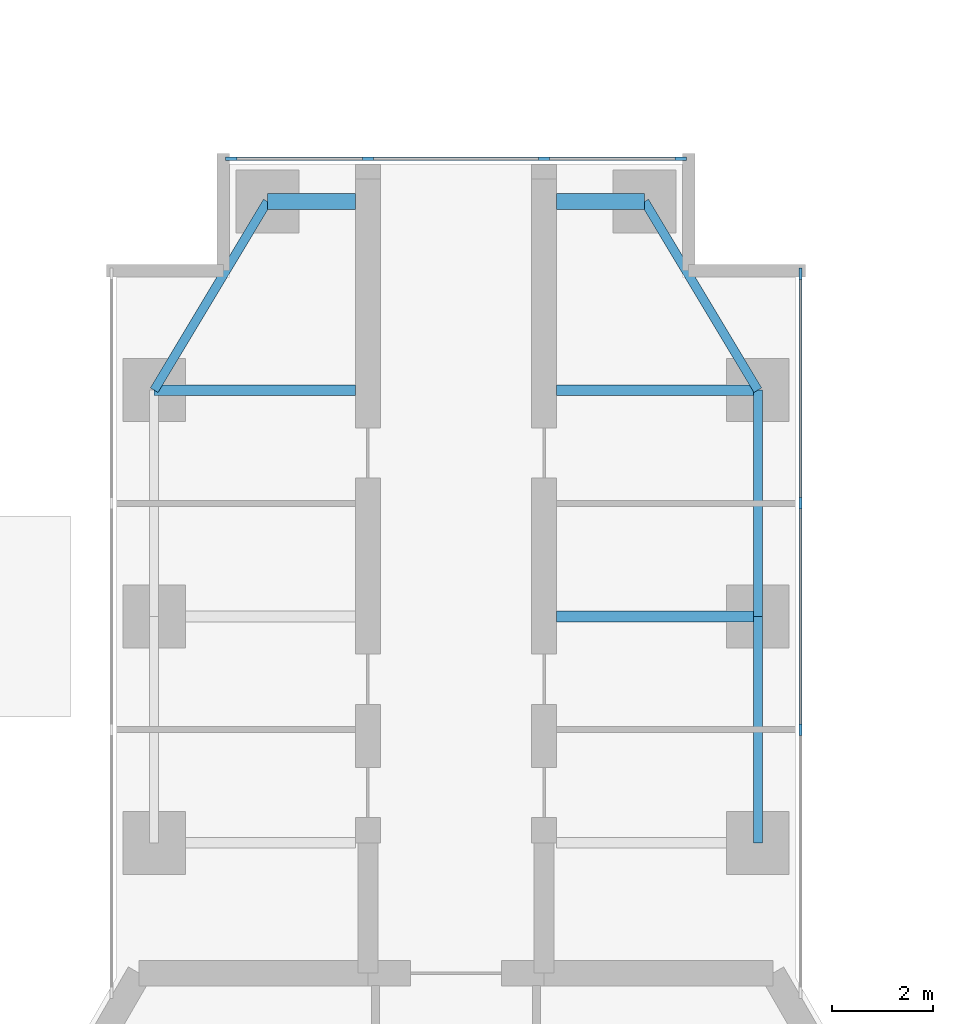
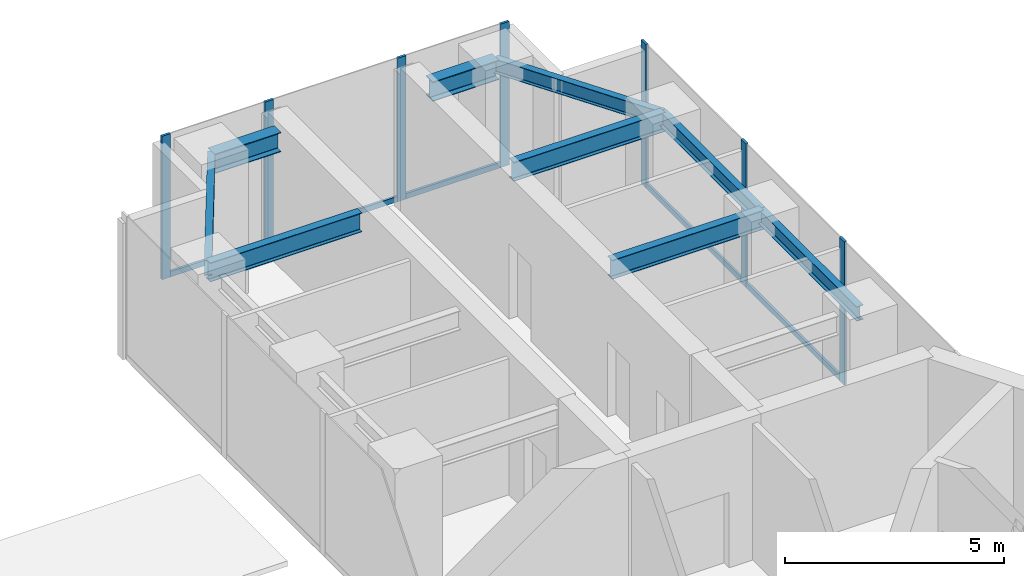
# One storey, part 9 of 18: 12 members, 9 beams, 2 elements without a shape of their own.
"""IFC4 building model written with IfcOpenShell, lengths in metres."""

from ifc_helpers import new_model, si_unit, direction, frame, origin, origin_2d, place, context, subcontext, project, spatial, rectangle, i_section, extrude, material, material_profile, profile_set, type_object, element, aggregate, save


model = new_model("IFC4")

# Units and contexts
model_context = context("Model", 3, precision=1e-05, world=origin(), true_north=direction((0.0, 1.0)))
body_context = subcontext(model_context, "Body", "Model", "MODEL_VIEW")
ifc_project = project(units=[si_unit("LENGTHUNIT", "METRE"), si_unit("AREAUNIT", "SQUARE_METRE"), si_unit("VOLUMEUNIT", "CUBIC_METRE"), si_unit("PLANEANGLEUNIT", "RADIAN"), si_unit("MASSUNIT", "GRAM", prefix="KILO")], contexts=[model_context])

# Site, building, storey
site_placement = place(None, origin())
site = spatial("IfcSite", under=ifc_project, at=site_placement, CompositionType="ELEMENT")
building_placement = place(site_placement, origin())
building = spatial("IfcBuilding", under=site, at=building_placement, Name="Upepo Twin Towers", CompositionType="ELEMENT")
storey_placement = place(building_placement, frame((0.0, 0.0, 170.5)))
storey = spatial("IfcBuildingStorey", under=building, at=storey_placement, Name="L41", CompositionType="ELEMENT", Elevation=170.5)

# Beams
ifc_material_1 = material(Name="Steel S355", Category="steel")
ifc_material_profile_1 = material_profile(ifc_material_1, i_section(OverallWidth=0.177978515625, OverallDepth=0.406494140625, WebThickness=0.0078125, FlangeThickness=0.0126953125, FilletRadius=0.01025390625, at=origin_2d()), Name="UB 406x178x60")
ifc_profile_set_1 = profile_set([ifc_material_profile_1], Name="Steel S355")
beam_type_1 = type_object("IfcBeamType", Name="Beam UB 406x178x60", PredefinedType="BEAM", material=ifc_profile_set_1)
beam_1_placement = place(storey_placement, frame((52.5, 4.5, 3.5966796875), z_axis=(0.514495755428, 0.857492925713, 0.0), x_axis=(-0.857492925713, 0.514495755428, 0.0)))
element("IfcBeam", 1, at=beam_1_placement, inside=storey, type_object=beam_type_1, Name="T2 nose edge beam AL", PredefinedType="BEAM", context=body_context, shape_type="SweptSolid", body=[
    extrude(i_section(OverallWidth=0.177978515625, OverallDepth=0.406494140625, WebThickness=0.0078125, FlangeThickness=0.0126953125, FilletRadius=0.01025390625, at=origin_2d()), origin(), (0.0, 0.0, 1.0), 4.373291015625),
])
for number, where, z_axis, x_axis, name in (
    (2, (64.5, -4.5, 3.5966796875), (0.0, 1.0, 0.0), (-1.0, 0.0, 0.0), "T2 edge beam AR 13.5-18.0"),
    (3, (64.5, 0.0, 3.5966796875), (0.0, 1.0, 0.0), (-1.0, 0.0, 0.0), "T2 edge beam AR 18.0-22.5"),
):
    element("IfcBeam", number, at=place(storey_placement, frame(where, z_axis=z_axis, x_axis=x_axis)), inside=storey, type_object=beam_type_1, Name=name, PredefinedType="BEAM", context=body_context, shape_type="SweptSolid", body=[
        extrude(i_section(OverallWidth=0.177978515625, OverallDepth=0.406494140625, WebThickness=0.0078125, FlangeThickness=0.0126953125, FilletRadius=0.01025390625, at=origin_2d()), origin(), (0.0, 0.0, 1.0), 4.5),
    ])
beam_2_placement = place(storey_placement, frame((64.5, 4.5, 3.5966796875), z_axis=(-0.514495755428, 0.857492925713, 0.0), x_axis=(-0.857492925713, -0.514495755428, 0.0)))
element("IfcBeam", 4, at=beam_2_placement, inside=storey, type_object=beam_type_1, Name="T2 nose edge beam AR", PredefinedType="BEAM", context=body_context, shape_type="SweptSolid", body=[
    extrude(i_section(OverallWidth=0.177978515625, OverallDepth=0.406494140625, WebThickness=0.0078125, FlangeThickness=0.0126953125, FilletRadius=0.01025390625, at=origin_2d()), origin(), (0.0, 0.0, 1.0), 4.373291015625),
])
ifc_material_2 = material(Name="Steel S355", Category="steel")
ifc_material_profile_2 = material_profile(ifc_material_2, i_section(OverallWidth=0.209228515625, OverallDepth=0.533203125, WebThickness=0.010009765625, FlangeThickness=0.015625, FilletRadius=0.0126953125, at=origin_2d()), Name="UB 533x210x92")
ifc_profile_set_2 = profile_set([ifc_material_profile_2], Name="Steel S355")
beam_type_2 = type_object("IfcBeamType", Name="Beam UB 533x210x92", PredefinedType="BEAM", material=ifc_profile_set_2)
for number, where, z_axis, x_axis, name in (
    (5, (52.5, 4.5, 3.533447265625), (1.0, 0.0, 0.0), (0.0, 1.0, 0.0), "T2 girder AL at 22.5"),
    (6, (64.5, 0.0, 3.533447265625), (-1.0, 0.0, 0.0), (0.0, -1.0, 0.0), "T2 girder AR at 18.0"),
    (7, (64.5, 4.5, 3.533447265625), (-1.0, 0.0, 0.0), (0.0, -1.0, 0.0), "T2 girder AR at 22.5"),
):
    element("IfcBeam", number, at=place(storey_placement, frame(where, z_axis=z_axis, x_axis=x_axis)), inside=storey, type_object=beam_type_2, Name=name, PredefinedType="BEAM", context=body_context, shape_type="SweptSolid", body=[
        extrude(i_section(OverallWidth=0.209228515625, OverallDepth=0.533203125, WebThickness=0.010009765625, FlangeThickness=0.015625, FilletRadius=0.0126953125, at=origin_2d()), origin(), (0.0, 0.0, 1.0), 4.0),
    ])
ifc_material_3 = material(Name="Steel S355", Category="steel")
ifc_material_profile_3 = material_profile(ifc_material_3, i_section(OverallWidth=0.31201171875, OverallDepth=0.54345703125, WebThickness=0.0126953125, FlangeThickness=0.020263671875, FilletRadius=0.0126953125, at=origin_2d()), Name="UB 533x312x150")
ifc_profile_set_3 = profile_set([ifc_material_profile_3], Name="Steel S355")
beam_type_3 = type_object("IfcBeamType", Name="Beam UB 533x312x150", PredefinedType="BEAM", material=ifc_profile_set_3)
for number, where, z_axis, x_axis, name in (
    (8, (54.75, 8.25, 3.5283203125), (1.0, 0.0, 0.0), (0.0, 1.0, 0.0), "T2 nose beam AL"),
    (9, (62.25, 8.25, 3.5283203125), (-1.0, 0.0, 0.0), (0.0, -1.0, 0.0), "T2 nose beam AR"),
):
    element("IfcBeam", number, at=place(storey_placement, frame(where, z_axis=z_axis, x_axis=x_axis)), inside=storey, type_object=beam_type_3, Name=name, PredefinedType="BEAM", context=body_context, shape_type="SweptSolid", body=[
        extrude(i_section(OverallWidth=0.31201171875, OverallDepth=0.54345703125, WebThickness=0.0126953125, FlangeThickness=0.020263671875, FilletRadius=0.0126953125, at=origin_2d()), origin(), (0.0, 0.0, 1.0), 1.75),
    ])

# Curtain wall, members
ifc_material_4 = material(Name="Aluminium and fritted glass", Category="aluminium")
curtain_wall_type = type_object("IfcCurtainWallType", Name="Tower curtain wall TW3, fritted glass", PredefinedType="NOTDEFINED", material=ifc_material_4)
curtain_wall_1_placement = place(storey_placement, origin())
curtain_wall_1 = element("IfcCurtainWall", 10, at=curtain_wall_1_placement, inside=storey, type_object=curtain_wall_type, Name="T2 L41 wing A flank R curtain wall", PredefinedType="NOTDEFINED")
ifc_material_5 = material(Name="Aluminium mullion", Category="aluminium")
ifc_material_profile_4 = material_profile(ifc_material_5, rectangle(XDim=0.06494140625, YDim=0.22509765625, at=origin_2d()), Name="MULLION 65x225")
ifc_profile_set_4 = profile_set([ifc_material_profile_4], Name="Aluminium mullion")
member_type_1 = type_object("IfcMemberType", Name="Mullion 65x225 TW3", PredefinedType="MULLION", material=ifc_profile_set_4)
member_1_placement = place(storey_placement, frame((65.35009765625, 6.8173828125, 0.0), z_axis=(0.0, 0.0, 1.0), x_axis=(1.0, 0.0, 0.0)))
member_1 = element("IfcMember", 11, at=member_1_placement, type_object=member_type_1, Name="T2 L41 wing A flank R curtain wall mullion 1", PredefinedType="MULLION", context=body_context, shape_type="SweptSolid", body=[
    extrude(rectangle(XDim=0.06494140625, YDim=0.22509765625, at=origin_2d()), origin(), (0.0, 0.0, 1.0), 4.0),
])
member_2_placement = place(storey_placement, frame((65.35009765625, 2.25, 0.0), z_axis=(0.0, 0.0, 1.0), x_axis=(1.0, 0.0, 0.0)))
member_2 = element("IfcMember", 12, at=member_2_placement, type_object=member_type_1, Name="T2 L41 wing A flank R curtain wall mullion 2", PredefinedType="MULLION", context=body_context, shape_type="SweptSolid", body=[
    extrude(rectangle(XDim=0.06494140625, YDim=0.22509765625, at=origin_2d()), origin(), (0.0, 0.0, 1.0), 4.0),
])
member_3_placement = place(storey_placement, frame((65.35009765625, -2.25, 0.0), z_axis=(0.0, 0.0, 1.0), x_axis=(1.0, 0.0, 0.0)))
member_3 = element("IfcMember", 13, at=member_3_placement, type_object=member_type_1, Name="T2 L41 wing A flank R curtain wall mullion 3", PredefinedType="MULLION", context=body_context, shape_type="SweptSolid", body=[
    extrude(rectangle(XDim=0.06494140625, YDim=0.22509765625, at=origin_2d()), origin(), (0.0, 0.0, 1.0), 4.0),
])

curtain_wall_2_placement = place(storey_placement, origin())
curtain_wall_2 = element("IfcCurtainWall", 14, at=curtain_wall_2_placement, inside=storey, type_object=curtain_wall_type, Name="T2 L41 wing A nose curtain wall", PredefinedType="NOTDEFINED")
member_4_placement = place(storey_placement, frame((62.967529296875, 9.10009765625, 0.0), z_axis=(0.0, 0.0, 1.0), x_axis=(0.0, -1.0, 0.0)))
member_4 = element("IfcMember", 15, at=member_4_placement, type_object=member_type_1, Name="T2 L41 wing A nose curtain wall mullion 1", PredefinedType="MULLION", context=body_context, shape_type="SweptSolid", body=[
    extrude(rectangle(XDim=0.06494140625, YDim=0.22509765625, at=origin_2d()), origin(), (0.0, 0.0, 1.0), 4.0),
])
member_5_placement = place(storey_placement, frame((60.25, 9.10009765625, 0.0), z_axis=(0.0, 0.0, 1.0), x_axis=(0.0, -1.0, 0.0)))
member_5 = element("IfcMember", 16, at=member_5_placement, type_object=member_type_1, Name="T2 L41 wing A nose curtain wall mullion 2", PredefinedType="MULLION", context=body_context, shape_type="SweptSolid", body=[
    extrude(rectangle(XDim=0.06494140625, YDim=0.22509765625, at=origin_2d()), origin(), (0.0, 0.0, 1.0), 4.0),
])
member_6_placement = place(storey_placement, frame((56.75, 9.10009765625, 0.0), z_axis=(0.0, 0.0, 1.0), x_axis=(0.0, -1.0, 0.0)))
member_6 = element("IfcMember", 17, at=member_6_placement, type_object=member_type_1, Name="T2 L41 wing A nose curtain wall mullion 3", PredefinedType="MULLION", context=body_context, shape_type="SweptSolid", body=[
    extrude(rectangle(XDim=0.06494140625, YDim=0.22509765625, at=origin_2d()), origin(), (0.0, 0.0, 1.0), 4.0),
])
member_7_placement = place(storey_placement, frame((54.032470703125, 9.10009765625, 0.0), z_axis=(0.0, 0.0, 1.0), x_axis=(0.0, -1.0, 0.0)))
member_7 = element("IfcMember", 18, at=member_7_placement, type_object=member_type_1, Name="T2 L41 wing A nose curtain wall mullion 4", PredefinedType="MULLION", context=body_context, shape_type="SweptSolid", body=[
    extrude(rectangle(XDim=0.06494140625, YDim=0.22509765625, at=origin_2d()), origin(), (0.0, 0.0, 1.0), 4.0),
])

# Member
ifc_material_6 = material(Name="Aluminium transom", Category="aluminium")
ifc_material_profile_5 = material_profile(ifc_material_6, rectangle(XDim=0.06494140625, YDim=0.14990234375, at=origin_2d()), Name="TRANSOM 65x150")
ifc_profile_set_5 = profile_set([ifc_material_profile_5], Name="Aluminium transom")
member_type_2 = type_object("IfcMemberType", Name="Transom 65x150 TW3", PredefinedType="USERDEFINED", material=ifc_profile_set_5)
member_8_placement = place(storey_placement, frame((65.35009765625, 6.784912109375, 0.074951171875), z_axis=(0.0, -1.0, 0.0), x_axis=(1.0, 0.0, 0.0)))
member_8 = element("IfcMember", 19, at=member_8_placement, type_object=member_type_2, Name="T2 L41 wing A flank R curtain wall transom 1", ObjectType="TRANSOM", PredefinedType="USERDEFINED", context=body_context, shape_type="SweptSolid", body=[
    extrude(rectangle(XDim=0.06494140625, YDim=0.14990234375, at=origin_2d()), origin(), (0.0, 0.0, 1.0), 4.50244140625),
])

member_9_placement = place(storey_placement, frame((65.35009765625, 2.217529296875, 0.074951171875), z_axis=(0.0, -1.0, 0.0), x_axis=(1.0, 0.0, 0.0)))
member_9 = element("IfcMember", 20, at=member_9_placement, type_object=member_type_2, Name="T2 L41 wing A flank R curtain wall transom 2", ObjectType="TRANSOM", PredefinedType="USERDEFINED", context=body_context, shape_type="SweptSolid", body=[
    extrude(rectangle(XDim=0.06494140625, YDim=0.14990234375, at=origin_2d()), origin(), (0.0, 0.0, 1.0), 4.43505859375),
])

aggregate(curtain_wall_1, [member_1, member_2, member_3, member_8, member_9])

member_10_placement = place(storey_placement, frame((62.93505859375, 9.10009765625, 0.074951171875), z_axis=(-1.0, 0.0, 0.0), x_axis=(0.0, -1.0, 0.0)))
member_10 = element("IfcMember", 21, at=member_10_placement, type_object=member_type_2, Name="T2 L41 wing A nose curtain wall transom 1", ObjectType="TRANSOM", PredefinedType="USERDEFINED", context=body_context, shape_type="SweptSolid", body=[
    extrude(rectangle(XDim=0.06494140625, YDim=0.14990234375, at=origin_2d()), origin(), (0.0, 0.0, 1.0), 2.652587890625),
])

member_11_placement = place(storey_placement, frame((60.217529296875, 9.10009765625, 0.074951171875), z_axis=(-1.0, 0.0, 0.0), x_axis=(0.0, -1.0, 0.0)))
member_11 = element("IfcMember", 22, at=member_11_placement, type_object=member_type_2, Name="T2 L41 wing A nose curtain wall transom 2", ObjectType="TRANSOM", PredefinedType="USERDEFINED", context=body_context, shape_type="SweptSolid", body=[
    extrude(rectangle(XDim=0.06494140625, YDim=0.14990234375, at=origin_2d()), origin(), (0.0, 0.0, 1.0), 3.43505859375),
])

member_12_placement = place(storey_placement, frame((56.717529296875, 9.10009765625, 0.074951171875), z_axis=(-1.0, 0.0, 0.0), x_axis=(0.0, -1.0, 0.0)))
member_12 = element("IfcMember", 23, at=member_12_placement, type_object=member_type_2, Name="T2 L41 wing A nose curtain wall transom 3", ObjectType="TRANSOM", PredefinedType="USERDEFINED", context=body_context, shape_type="SweptSolid", body=[
    extrude(rectangle(XDim=0.06494140625, YDim=0.14990234375, at=origin_2d()), origin(), (0.0, 0.0, 1.0), 2.652587890625),
])

aggregate(curtain_wall_2, [member_4, member_5, member_6, member_7, member_10, member_11, member_12])

save(model, "model.ifc")
